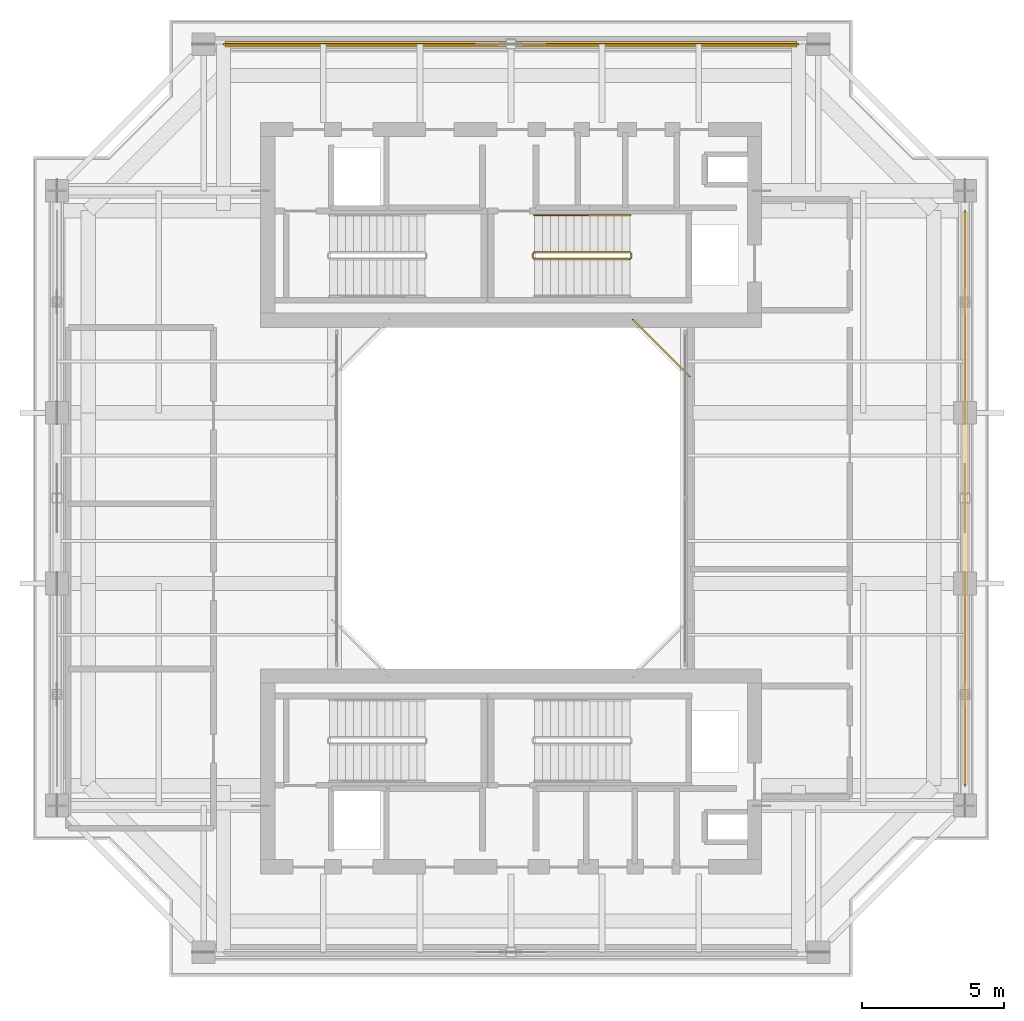
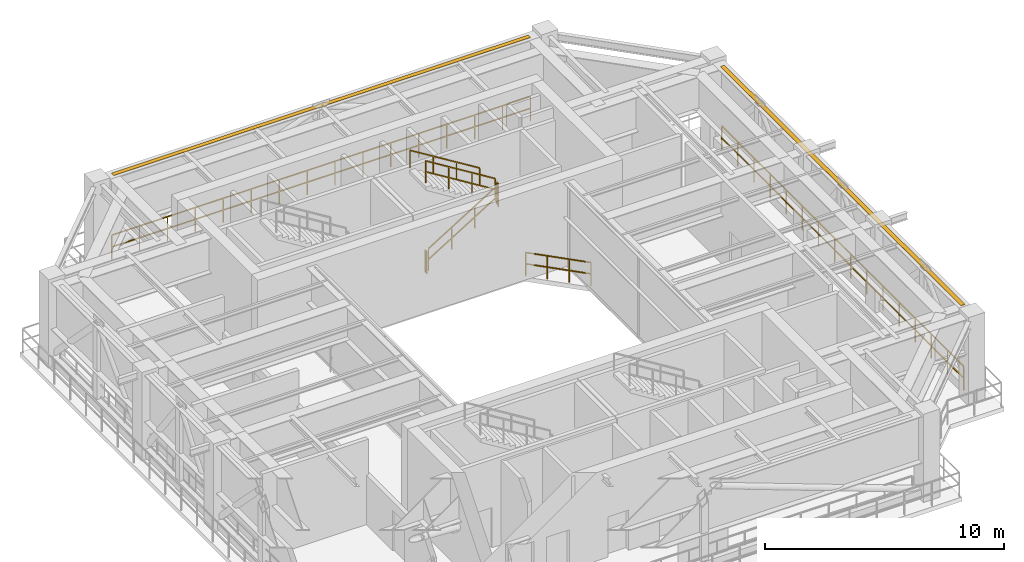
# One storey, part 10 of 10: 8 railings, 2 shading devices.
"""IFC4 building model written with IfcOpenShell, lengths in metres."""

from ifc_helpers import new_model, si_unit, direction, frame, origin, origin_2d, place, context, subcontext, project, spatial, rectangle, extrude, source, transform, mapped, material, material_profile, profile_set, type_object, element, save


model = new_model("IFC4")

# Units and contexts
model_context = context("Model", 3, precision=1e-05, world=origin(), true_north=direction((0.0, 1.0)))
body_context = subcontext(model_context, "Body", "Model", "MODEL_VIEW")
ifc_project = project(units=[si_unit("LENGTHUNIT", "METRE"), si_unit("AREAUNIT", "SQUARE_METRE"), si_unit("VOLUMEUNIT", "CUBIC_METRE"), si_unit("PLANEANGLEUNIT", "RADIAN"), si_unit("MASSUNIT", "GRAM", prefix="KILO"), si_unit("THERMODYNAMICTEMPERATUREUNIT", "KELVIN"), si_unit("POWERUNIT", "WATT")], contexts=[model_context])

# Site, building, storey
site_placement = place(None, origin())
site = spatial("IfcSite", under=ifc_project, at=site_placement, CompositionType="ELEMENT")
building_placement = place(site_placement, origin())
building = spatial("IfcBuilding", under=site, at=building_placement, Name="Qiaomeng Ring Towers", CompositionType="ELEMENT")
storey_placement = place(building_placement, frame((0.0, 0.0, 232.75)))
storey = spatial("IfcBuildingStorey", under=building, at=storey_placement, Name="L68", CompositionType="ELEMENT", Elevation=232.75)

# Railings
ifc_material_1 = material(Name="Low-E pale-green laminated safety glass", Category="glass")
railing_type_1 = type_object("IfcRailingType", Name="ARC-RL-BAL1", PredefinedType="BALUSTRADE", material=ifc_material_1)
railing_1_placement = place(storey_placement, frame((25.280029296875, 27.280029296875, 0.0)))
element("IfcRailing", 1, at=railing_1_placement, inside=storey, type_object=railing_type_1, Name="L68 Balustrade ARC-BAL-WELL1-L68-2", PredefinedType="BALUSTRADE", context=body_context, shape_type="SweptSolid", body=[
    extrude(rectangle(XDim=0.048095703125, YDim=0.048095703125, at=origin_2d()), frame((0.0, 0.0, 1.17578125), z_axis=(-0.707106781187, 0.707106781187, 0.0), x_axis=(-0.707106781187, -0.707106781187, 0.0)), (0.0, 0.0, 1.0), 2.828369140625),
    extrude(rectangle(XDim=0.048095703125, YDim=0.048095703125, at=origin_2d()), frame((0.0, 0.0, 0.60009765625), z_axis=(-0.707106781187, 0.707106781187, 0.0), x_axis=(-0.707106781187, -0.707106781187, 0.0)), (0.0, 0.0, 1.0), 2.828369140625),
    extrude(rectangle(XDim=0.0419921875, YDim=0.0419921875, at=origin_2d()), origin(), (0.0, 0.0, 1.0), 1.15185546875),
    extrude(rectangle(XDim=0.0419921875, YDim=0.0419921875, at=origin_2d()), frame((-0.666748046875, 0.666748046875, 0.0)), (0.0, 0.0, 1.0), 1.15185546875),
    extrude(rectangle(XDim=0.0419921875, YDim=0.0419921875, at=origin_2d()), frame((-1.333251953125, 1.333251953125, 0.0)), (0.0, 0.0, 1.0), 1.15185546875),
    extrude(rectangle(XDim=0.0419921875, YDim=0.0419921875, at=origin_2d()), frame((-2.0, 2.0, 0.0)), (0.0, 0.0, 1.0), 1.15185546875),
])
ifc_material_2 = material(Name="Stainless steel 316", Category="steel")
railing_type_2 = type_object("IfcRailingType", Name="ARC-RL-BAL2", PredefinedType="BALUSTRADE", material=ifc_material_2)
railing_2_placement = place(storey_placement, frame((29.10009765625, 38.949951171875, 0.0)))
element("IfcRailing", 2, at=railing_2_placement, inside=storey, type_object=railing_type_2, Name="L68 Open Refuge Band Perimeter Guard N", PredefinedType="BALUSTRADE", context=body_context, shape_type="SweptSolid", body=[
    extrude(rectangle(XDim=0.048095703125, YDim=0.048095703125, at=origin_2d()), frame((0.0, 0.0, 1.22607421875), z_axis=(-1.0, 0.0, 0.0), x_axis=(0.0, -1.0, 0.0)), (0.0, 0.0, 1.0), 20.2001953125),
    extrude(rectangle(XDim=0.048095703125, YDim=0.048095703125, at=origin_2d()), frame((0.0, 0.0, 0.625), z_axis=(-1.0, 0.0, 0.0), x_axis=(0.0, -1.0, 0.0)), (0.0, 0.0, 1.0), 20.2001953125),
    extrude(rectangle(XDim=0.0419921875, YDim=0.0419921875, at=origin_2d()), origin(), (0.0, 0.0, 1.0), 1.201904296875),
    extrude(rectangle(XDim=0.0419921875, YDim=0.0419921875, at=origin_2d()), frame((-1.3466796875, 0.0, 0.0)), (0.0, 0.0, 1.0), 1.201904296875),
    extrude(rectangle(XDim=0.0419921875, YDim=0.0419921875, at=origin_2d()), frame((-2.693359375, 0.0, 0.0)), (0.0, 0.0, 1.0), 1.201904296875),
    extrude(rectangle(XDim=0.0419921875, YDim=0.0419921875, at=origin_2d()), frame((-4.0400390625, 0.0, 0.0)), (0.0, 0.0, 1.0), 1.201904296875),
    extrude(rectangle(XDim=0.0419921875, YDim=0.0419921875, at=origin_2d()), frame((-5.38671875, 0.0, 0.0)), (0.0, 0.0, 1.0), 1.201904296875),
    extrude(rectangle(XDim=0.0419921875, YDim=0.0419921875, at=origin_2d()), frame((-6.7333984375, 0.0, 0.0)), (0.0, 0.0, 1.0), 1.201904296875),
    extrude(rectangle(XDim=0.0419921875, YDim=0.0419921875, at=origin_2d()), frame((-8.080078125, 0.0, 0.0)), (0.0, 0.0, 1.0), 1.201904296875),
    extrude(rectangle(XDim=0.0419921875, YDim=0.0419921875, at=origin_2d()), frame((-9.4267578125, 0.0, 0.0)), (0.0, 0.0, 1.0), 1.201904296875),
    extrude(rectangle(XDim=0.0419921875, YDim=0.0419921875, at=origin_2d()), frame((-10.7734375, 0.0, 0.0)), (0.0, 0.0, 1.0), 1.201904296875),
    extrude(rectangle(XDim=0.0419921875, YDim=0.0419921875, at=origin_2d()), frame((-12.1201171875, 0.0, 0.0)), (0.0, 0.0, 1.0), 1.201904296875),
    extrude(rectangle(XDim=0.0419921875, YDim=0.0419921875, at=origin_2d()), frame((-13.466796875, 0.0, 0.0)), (0.0, 0.0, 1.0), 1.201904296875),
    extrude(rectangle(XDim=0.0419921875, YDim=0.0419921875, at=origin_2d()), frame((-14.8134765625, 0.0, 0.0)), (0.0, 0.0, 1.0), 1.201904296875),
    extrude(rectangle(XDim=0.0419921875, YDim=0.0419921875, at=origin_2d()), frame((-16.16015625, 0.0, 0.0)), (0.0, 0.0, 1.0), 1.201904296875),
    extrude(rectangle(XDim=0.0419921875, YDim=0.0419921875, at=origin_2d()), frame((-17.5068359375, 0.0, 0.0)), (0.0, 0.0, 1.0), 1.201904296875),
    extrude(rectangle(XDim=0.0419921875, YDim=0.0419921875, at=origin_2d()), frame((-18.853515625, 0.0, 0.0)), (0.0, 0.0, 1.0), 1.201904296875),
    extrude(rectangle(XDim=0.0419921875, YDim=0.0419921875, at=origin_2d()), frame((-20.2001953125, 0.0, 0.0)), (0.0, 0.0, 1.0), 1.201904296875),
])
railing_3_placement = place(storey_placement, frame((34.949951171875, 12.89990234375, 0.0)))
element("IfcRailing", 3, at=railing_3_placement, inside=storey, type_object=railing_type_2, Name="L68 Open Refuge Band Perimeter Guard E", PredefinedType="BALUSTRADE", context=body_context, shape_type="SweptSolid", body=[
    extrude(rectangle(XDim=0.048095703125, YDim=0.048095703125, at=origin_2d()), frame((0.0, 0.0, 1.22607421875), z_axis=(0.0, 1.0, 0.0), x_axis=(-1.0, 0.0, 0.0)), (0.0, 0.0, 1.0), 20.2001953125),
    extrude(rectangle(XDim=0.048095703125, YDim=0.048095703125, at=origin_2d()), frame((0.0, 0.0, 0.625), z_axis=(0.0, 1.0, 0.0), x_axis=(-1.0, 0.0, 0.0)), (0.0, 0.0, 1.0), 20.2001953125),
    extrude(rectangle(XDim=0.0419921875, YDim=0.0419921875, at=origin_2d()), origin(), (0.0, 0.0, 1.0), 1.201904296875),
    extrude(rectangle(XDim=0.0419921875, YDim=0.0419921875, at=origin_2d()), frame((0.0, 1.3466796875, 0.0)), (0.0, 0.0, 1.0), 1.201904296875),
    extrude(rectangle(XDim=0.0419921875, YDim=0.0419921875, at=origin_2d()), frame((0.0, 2.693359375, 0.0)), (0.0, 0.0, 1.0), 1.201904296875),
    extrude(rectangle(XDim=0.0419921875, YDim=0.0419921875, at=origin_2d()), frame((0.0, 4.0400390625, 0.0)), (0.0, 0.0, 1.0), 1.201904296875),
    extrude(rectangle(XDim=0.0419921875, YDim=0.0419921875, at=origin_2d()), frame((0.0, 5.38671875, 0.0)), (0.0, 0.0, 1.0), 1.201904296875),
    extrude(rectangle(XDim=0.0419921875, YDim=0.0419921875, at=origin_2d()), frame((0.0, 6.7333984375, 0.0)), (0.0, 0.0, 1.0), 1.201904296875),
    extrude(rectangle(XDim=0.0419921875, YDim=0.0419921875, at=origin_2d()), frame((0.0, 8.080078125, 0.0)), (0.0, 0.0, 1.0), 1.201904296875),
    extrude(rectangle(XDim=0.0419921875, YDim=0.0419921875, at=origin_2d()), frame((0.0, 9.4267578125, 0.0)), (0.0, 0.0, 1.0), 1.201904296875),
    extrude(rectangle(XDim=0.0419921875, YDim=0.0419921875, at=origin_2d()), frame((0.0, 10.7734375, 0.0)), (0.0, 0.0, 1.0), 1.201904296875),
    extrude(rectangle(XDim=0.0419921875, YDim=0.0419921875, at=origin_2d()), frame((0.0, 12.1201171875, 0.0)), (0.0, 0.0, 1.0), 1.201904296875),
    extrude(rectangle(XDim=0.0419921875, YDim=0.0419921875, at=origin_2d()), frame((0.0, 13.466796875, 0.0)), (0.0, 0.0, 1.0), 1.201904296875),
    extrude(rectangle(XDim=0.0419921875, YDim=0.0419921875, at=origin_2d()), frame((0.0, 14.8134765625, 0.0)), (0.0, 0.0, 1.0), 1.201904296875),
    extrude(rectangle(XDim=0.0419921875, YDim=0.0419921875, at=origin_2d()), frame((0.0, 16.16015625, 0.0)), (0.0, 0.0, 1.0), 1.201904296875),
    extrude(rectangle(XDim=0.0419921875, YDim=0.0419921875, at=origin_2d()), frame((0.0, 17.5068359375, 0.0)), (0.0, 0.0, 1.0), 1.201904296875),
    extrude(rectangle(XDim=0.0419921875, YDim=0.0419921875, at=origin_2d()), frame((0.0, 18.853515625, 0.0)), (0.0, 0.0, 1.0), 1.201904296875),
    extrude(rectangle(XDim=0.0419921875, YDim=0.0419921875, at=origin_2d()), frame((0.0, 20.2001953125, 0.0)), (0.0, 0.0, 1.0), 1.201904296875),
])
ifc_material_3 = material(Name="Galvanised steel", Category="steel")
railing_type_3 = type_object("IfcRailingType", Name="ARC-RL-GUARD", PredefinedType="GUARDRAIL", material=ifc_material_3)
railing_4_placement = place(storey_placement, frame((19.820068359375, 31.39990234375, 0.173095703125)))
element("IfcRailing", 4, at=railing_4_placement, inside=storey, type_object=railing_type_3, Name="L68 ST2 stair guard 1", PredefinedType="GUARDRAIL", context=body_context, shape_type="SweptSolid", body=[
    extrude(rectangle(XDim=0.048095703125, YDim=0.048095703125, at=origin_2d()), frame((0.0, 0.0, 1.1259765625), z_axis=(0.850606129759, 0.0, 0.525803396734), x_axis=(0.0, 1.0, 0.0)), (0.0, 0.0, 1.0), 3.949951171875),
    extrude(rectangle(XDim=0.048095703125, YDim=0.048095703125, at=origin_2d()), frame((0.0, 0.0, 0.574951171875), z_axis=(0.850606129759, 0.0, 0.525803396734), x_axis=(0.0, 1.0, 0.0)), (0.0, 0.0, 1.0), 3.949951171875),
    extrude(rectangle(XDim=0.0419921875, YDim=0.0419921875, at=origin_2d()), origin(), (0.0, 0.0, 1.0), 1.101806640625),
    extrude(rectangle(XDim=0.0419921875, YDim=0.0419921875, at=origin_2d()), frame((1.119873046875, 0.0, 0.6923828125)), (0.0, 0.0, 1.0), 1.101806640625),
    extrude(rectangle(XDim=0.0419921875, YDim=0.0419921875, at=origin_2d()), frame((2.239990234375, 0.0, 1.384521484375)), (0.0, 0.0, 1.0), 1.101806640625),
    extrude(rectangle(XDim=0.0419921875, YDim=0.0419921875, at=origin_2d()), frame((3.35986328125, 0.0, 2.076904296875)), (0.0, 0.0, 1.0), 1.101806640625),
])
railing_5_placement = place(storey_placement, frame((23.22998046875, 31.449951171875, 2.25)))
element("IfcRailing", 5, at=railing_5_placement, inside=storey, type_object=railing_type_3, Name="L68 ST2 stair guard 2", PredefinedType="GUARDRAIL", context=body_context, shape_type="SweptSolid", body=[
    extrude(rectangle(XDim=0.048095703125, YDim=0.048095703125, at=origin_2d()), frame((0.0, 0.0, 1.1259765625), z_axis=(0.0, 1.0, 0.0), x_axis=(-1.0, 0.0, 0.0)), (0.0, 0.0, 1.0), 0.14013671875),
    extrude(rectangle(XDim=0.048095703125, YDim=0.048095703125, at=origin_2d()), frame((0.0, 0.0, 0.574951171875), z_axis=(0.0, 1.0, 0.0), x_axis=(-1.0, 0.0, 0.0)), (0.0, 0.0, 1.0), 0.14013671875),
    extrude(rectangle(XDim=0.0419921875, YDim=0.0419921875, at=origin_2d()), origin(), (0.0, 0.0, 1.0), 1.101806640625),
    extrude(rectangle(XDim=0.0419921875, YDim=0.0419921875, at=origin_2d()), frame((0.0, 0.14013671875, 0.0)), (0.0, 0.0, 1.0), 1.101806640625),
])
railing_6_placement = place(storey_placement, frame((23.179931640625, 31.639892578125, 2.423095703125)))
element("IfcRailing", 6, at=railing_6_placement, inside=storey, type_object=railing_type_3, Name="L68 ST2 stair guard 3", PredefinedType="GUARDRAIL", context=body_context, shape_type="SweptSolid", body=[
    extrude(rectangle(XDim=0.048095703125, YDim=0.048095703125, at=origin_2d()), frame((0.0, 0.0, 1.1259765625), z_axis=(-0.850606129759, 0.0, 0.525803396734), x_axis=(0.0, -1.0, 0.0)), (0.0, 0.0, 1.0), 3.949951171875),
    extrude(rectangle(XDim=0.048095703125, YDim=0.048095703125, at=origin_2d()), frame((0.0, 0.0, 0.574951171875), z_axis=(-0.850606129759, 0.0, 0.525803396734), x_axis=(0.0, -1.0, 0.0)), (0.0, 0.0, 1.0), 3.949951171875),
    extrude(rectangle(XDim=0.0419921875, YDim=0.0419921875, at=origin_2d()), origin(), (0.0, 0.0, 1.0), 1.101806640625),
    extrude(rectangle(XDim=0.0419921875, YDim=0.0419921875, at=origin_2d()), frame((-1.119873046875, 0.0, 0.6923828125)), (0.0, 0.0, 1.0), 1.101806640625),
    extrude(rectangle(XDim=0.0419921875, YDim=0.0419921875, at=origin_2d()), frame((-2.239990234375, 0.0, 1.384521484375)), (0.0, 0.0, 1.0), 1.101806640625),
    extrude(rectangle(XDim=0.0419921875, YDim=0.0419921875, at=origin_2d()), frame((-3.35986328125, 0.0, 2.076904296875)), (0.0, 0.0, 1.0), 1.101806640625),
])
railing_7_placement = place(storey_placement, frame((19.77001953125, 31.449951171875, 0.0)))
element("IfcRailing", 7, at=railing_7_placement, inside=storey, type_object=railing_type_3, Name="L68 ST2 stair guard 4", PredefinedType="GUARDRAIL", context=body_context, shape_type="SweptSolid", body=[
    extrude(rectangle(XDim=0.048095703125, YDim=0.048095703125, at=origin_2d()), frame((0.0, 0.0, 1.1259765625), z_axis=(0.0, 1.0, 0.0), x_axis=(-1.0, 0.0, 0.0)), (0.0, 0.0, 1.0), 0.14013671875),
    extrude(rectangle(XDim=0.048095703125, YDim=0.048095703125, at=origin_2d()), frame((0.0, 0.0, 0.574951171875), z_axis=(0.0, 1.0, 0.0), x_axis=(-1.0, 0.0, 0.0)), (0.0, 0.0, 1.0), 0.14013671875),
    extrude(rectangle(XDim=0.0419921875, YDim=0.0419921875, at=origin_2d()), origin(), (0.0, 0.0, 1.0), 1.101806640625),
    extrude(rectangle(XDim=0.0419921875, YDim=0.0419921875, at=origin_2d()), frame((0.0, 0.14013671875, 0.0)), (0.0, 0.0, 1.0), 1.101806640625),
])
railing_type_4 = type_object("IfcRailingType", Name="ARC-RL-HAND", PredefinedType="HANDRAIL", material=ifc_material_2)
railing_8_placement = place(storey_placement, frame((23.179931640625, 32.93994140625, 2.423095703125)))
element("IfcRailing", 8, at=railing_8_placement, inside=storey, type_object=railing_type_4, Name="L68 ST2 stair handrail 2", PredefinedType="HANDRAIL", context=body_context, shape_type="SweptSolid", body=[
    extrude(rectangle(XDim=0.048095703125, YDim=0.048095703125, at=origin_2d()), frame((0.0, 0.0, 0.8759765625), z_axis=(-0.850606129759, 0.0, 0.525803396734), x_axis=(0.0, -1.0, 0.0)), (0.0, 0.0, 1.0), 3.949951171875),
    extrude(rectangle(XDim=0.0419921875, YDim=0.0419921875, at=origin_2d()), origin(), (0.0, 0.0, 1.0), 0.851806640625),
    extrude(rectangle(XDim=0.0419921875, YDim=0.0419921875, at=origin_2d()), frame((-1.119873046875, 0.0, 0.6923828125)), (0.0, 0.0, 1.0), 0.851806640625),
    extrude(rectangle(XDim=0.0419921875, YDim=0.0419921875, at=origin_2d()), frame((-2.239990234375, 0.0, 1.384521484375)), (0.0, 0.0, 1.0), 0.851806640625),
    extrude(rectangle(XDim=0.0419921875, YDim=0.0419921875, at=origin_2d()), frame((-3.35986328125, 0.0, 2.076904296875)), (0.0, 0.0, 1.0), 0.851806640625),
])

# Shading devices
ifc_material_profile = material_profile(ifc_material_2, rectangle(XDim=0.199951171875, YDim=0.0400390625, at=origin_2d()), Name="LV BLADE 200x40")
ifc_profile_set = profile_set([ifc_material_profile], Name="Stainless steel 316")
shading_device_type = type_object("IfcShadingDeviceType", Name="ARC-SHD-LOUVRE", PredefinedType="JALOUSIE", material=ifc_profile_set)
shared_shape = source(origin(), body_context, "Body", "SweptSolid", [
    extrude(rectangle(XDim=0.199951171875, YDim=0.0400390625, at=origin_2d()), origin(), (0.0, 0.0, 1.0), 20.10009765625),
])
for number, where, z_axis, x_axis, name in (
    (9, (29.050048828125, 38.949951171875, 4.300048828125), (-1.0, 0.0, 0.0), (0.0, -1.0, 0.0), "L68 Stainless Acoustic Intake Louvre N"),
    (10, (34.949951171875, 12.949951171875, 4.300048828125), (0.0, 1.0, 0.0), (-1.0, 0.0, 0.0), "L68 Stainless Acoustic Intake Louvre E"),
):
    element("IfcShadingDevice", number, at=place(storey_placement, frame(where, z_axis=z_axis, x_axis=x_axis)), inside=storey, type_object=shading_device_type, Name=name, PredefinedType="JALOUSIE", context=body_context, shape_type="MappedRepresentation", body=[
        mapped(shared_shape, transform((0.0, 0.0, 0.0), x_axis=(1.0, 0.0, 0.0), y_axis=(0.0, 1.0, 0.0), z_axis=(0.0, 0.0, 1.0), scale=1.0)),
    ])

save(model, "model.ifc")
